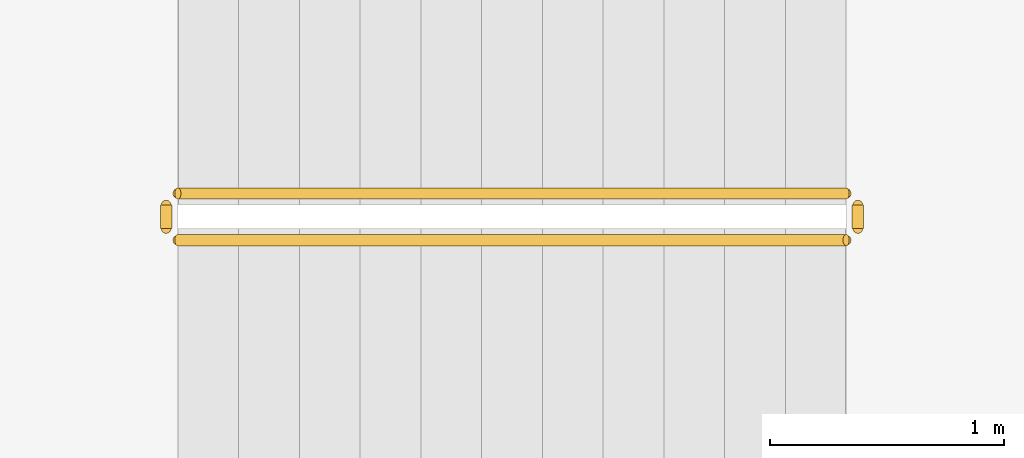
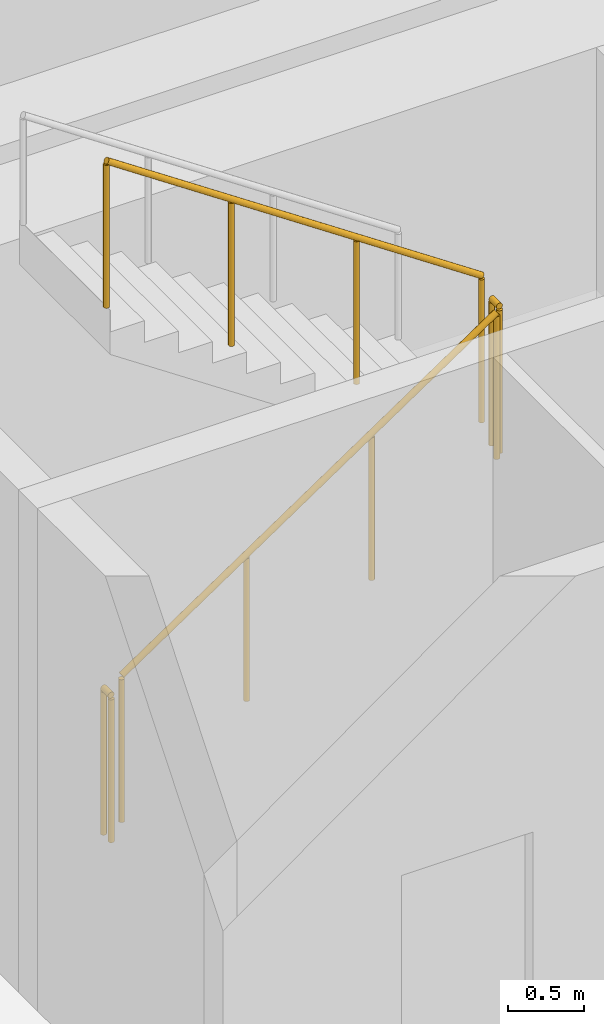
# One storey, part 22 of 26: 4 railings.
"""IFC4 building model written with IfcOpenShell, lengths in metres."""

from ifc_helpers import new_model, si_unit, direction, frame, origin, origin_2d, place, context, subcontext, project, spatial, circle, extrude, material, type_object, element, save


model = new_model("IFC4")

# Units and contexts
model_context = context("Model", 3, precision=1e-05, world=origin(), true_north=direction((0.0, 1.0)))
body_context = subcontext(model_context, "Body", "Model", "MODEL_VIEW")
ifc_project = project(units=[si_unit("LENGTHUNIT", "METRE"), si_unit("AREAUNIT", "SQUARE_METRE"), si_unit("VOLUMEUNIT", "CUBIC_METRE"), si_unit("PLANEANGLEUNIT", "RADIAN"), si_unit("MASSUNIT", "GRAM", prefix="KILO")], contexts=[model_context])

# Site, building, storey
site_placement = place(None, origin())
site = spatial("IfcSite", under=ifc_project, at=site_placement, CompositionType="ELEMENT")
building_placement = place(site_placement, origin())
building = spatial("IfcBuilding", under=site, at=building_placement, Name="Sahrelin Media Tower", CompositionType="ELEMENT")
storey_placement = place(building_placement, frame((0.0, 0.0, 131.39990234375)))
storey = spatial("IfcBuildingStorey", under=building, at=storey_placement, Name="L26", CompositionType="ELEMENT", Elevation=131.39990234375)

# Railings
ifc_material = material(Name="Steel S355", Category="steel")
railing_type = type_object("IfcRailingType", Name="Stair guard 1200", PredefinedType="GUARDRAIL", material=ifc_material)
railing_1_placement = place(storey_placement, frame((-7.675048828125, 5.25, 0.175048828125)))
element("IfcRailing", 1, at=railing_1_placement, inside=storey, type_object=railing_type, Name="L26 ST1 stair guard 1", PredefinedType="GUARDRAIL", context=body_context, shape_type="SweptSolid", body=[
    extrude(circle(Radius=0.02392578125, at=origin_2d()), frame((0.0, 0.0, 1.17578125), z_axis=(0.829590901723, 0.0, 0.558371682465), x_axis=(0.0, 1.0, 0.0)), (0.0, 0.0, 1.0), 3.447509765625),
    extrude(circle(Radius=0.02099609375, at=origin_2d()), origin(), (0.0, 0.0, 1.0), 1.15185546875),
    extrude(circle(Radius=0.02099609375, at=origin_2d()), frame((0.953369140625, 0.0, 0.6416015625)), (0.0, 0.0, 1.0), 1.15185546875),
    extrude(circle(Radius=0.02099609375, at=origin_2d()), frame((1.90673828125, 0.0, 1.283447265625)), (0.0, 0.0, 1.0), 1.15185546875),
    extrude(circle(Radius=0.02099609375, at=origin_2d()), frame((2.860107421875, 0.0, 1.925048828125)), (0.0, 0.0, 1.0), 1.15185546875),
])
railing_2_placement = place(storey_placement, frame((-4.764892578125, 5.300048828125, 2.10009765625)))
element("IfcRailing", 2, at=railing_2_placement, inside=storey, type_object=railing_type, Name="L26 ST1 stair guard 2", PredefinedType="GUARDRAIL", context=body_context, shape_type="SweptSolid", body=[
    extrude(circle(Radius=0.02392578125, at=origin_2d()), frame((0.0, 0.0, 1.17578125), z_axis=(0.0, 1.0, 0.0), x_axis=(-1.0, 0.0, 0.0)), (0.0, 0.0, 1.0), 0.099853515625),
    extrude(circle(Radius=0.02099609375, at=origin_2d()), origin(), (0.0, 0.0, 1.0), 1.15185546875),
    extrude(circle(Radius=0.02099609375, at=origin_2d()), frame((0.0, 0.099853515625, 0.0)), (0.0, 0.0, 1.0), 1.15185546875),
])
railing_3_placement = place(storey_placement, frame((-4.81494140625, 5.449951171875, 2.275146484375)))
element("IfcRailing", 3, at=railing_3_placement, inside=storey, type_object=railing_type, Name="L26 ST1 stair guard 3", PredefinedType="GUARDRAIL", context=body_context, shape_type="SweptSolid", body=[
    extrude(circle(Radius=0.02392578125, at=origin_2d()), frame((0.0, 0.0, 1.17578125), z_axis=(-0.829590901723, 0.0, 0.558371682465), x_axis=(0.0, -1.0, 0.0)), (0.0, 0.0, 1.0), 3.447509765625),
    extrude(circle(Radius=0.02099609375, at=origin_2d()), origin(), (0.0, 0.0, 1.0), 1.15185546875),
    extrude(circle(Radius=0.02099609375, at=origin_2d()), frame((-0.953369140625, 0.0, 0.6416015625)), (0.0, 0.0, 1.0), 1.15185546875),
    extrude(circle(Radius=0.02099609375, at=origin_2d()), frame((-1.90673828125, 0.0, 1.283447265625)), (0.0, 0.0, 1.0), 1.15185546875),
    extrude(circle(Radius=0.02099609375, at=origin_2d()), frame((-2.860107421875, 0.0, 1.925048828125)), (0.0, 0.0, 1.0), 1.15185546875),
])
railing_4_placement = place(storey_placement, frame((-7.72509765625, 5.300048828125, 0.0)))
element("IfcRailing", 4, at=railing_4_placement, inside=storey, type_object=railing_type, Name="L26 ST1 stair guard 4", PredefinedType="GUARDRAIL", context=body_context, shape_type="SweptSolid", body=[
    extrude(circle(Radius=0.02392578125, at=origin_2d()), frame((0.0, 0.0, 1.17578125), z_axis=(0.0, 1.0, 0.0), x_axis=(-1.0, 0.0, 0.0)), (0.0, 0.0, 1.0), 0.099853515625),
    extrude(circle(Radius=0.02099609375, at=origin_2d()), origin(), (0.0, 0.0, 1.0), 1.15185546875),
    extrude(circle(Radius=0.02099609375, at=origin_2d()), frame((0.0, 0.099853515625, 0.0)), (0.0, 0.0, 1.0), 1.15185546875),
])

save(model, "model.ifc")
